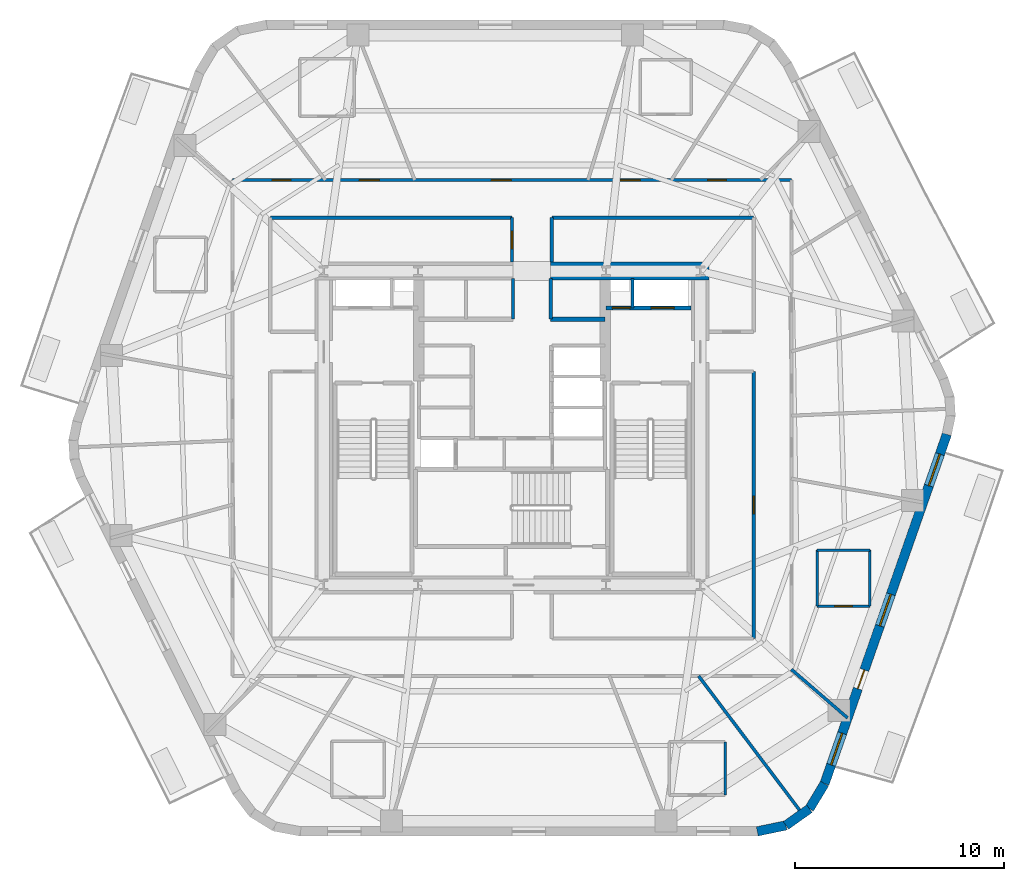
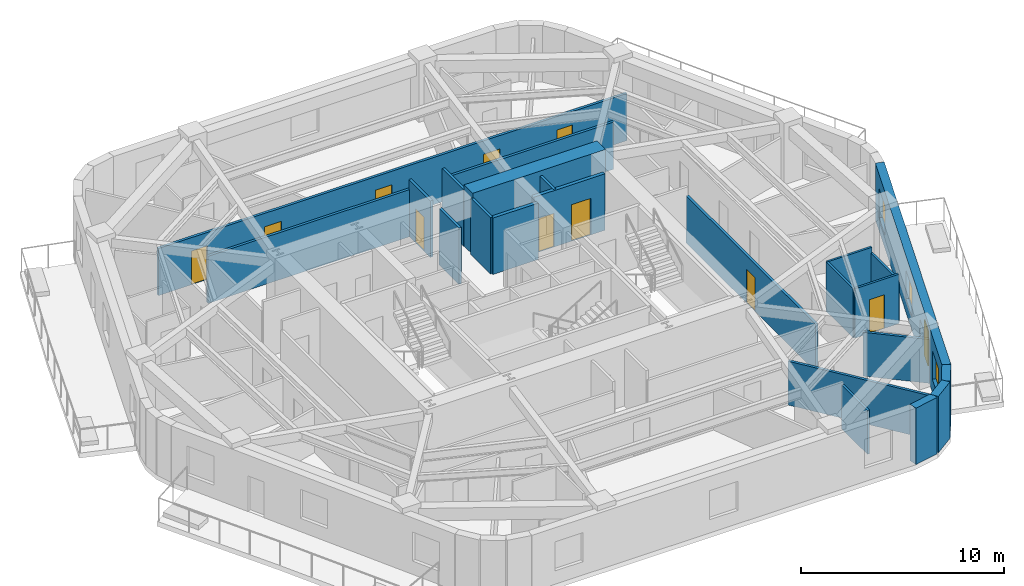
# One storey, part 5 of 10: 23 walls, 11 doors, 3 windows, 14 openings.
"""IFC4 building model written with IfcOpenShell, lengths in metres."""

import ifcopenshell
import ifcopenshell.guid

model = None  # the IFC model being written
_history = None  # IfcOwnerHistory: only IFC2X3 demands one
_inside = {}  # id of a spatial element -> (the spatial element, [elements in it])
_under = {}  # id of a project, library or spatial element -> (it, [spatial elements below it])
_declared = {}  # id of a project -> (the project, [libraries it declares])
_typed = {}  # id of a type object -> (the type object, [elements of that type])
_made_of = {}  # id of a material, layer set ... -> (it, [elements and type objects made of it])


def new_model(schema):
    """Start an empty IFC model of exactly this schema.

    Asked for "IFC4X3", IfcOpenShell would pick the latest addendum, in which some entities
    have other attributes; the version numbers below select the first issue.
    IFC2X3 requires an IfcOwnerHistory on every rooted entity: one is made here for all.
    """
    global model, _history
    if schema == "IFC4X3":
        model = ifcopenshell.file(schema_version=(4, 3, 0, 0))
    else:
        model = ifcopenshell.file(schema=schema)
    _inside.clear()
    _under.clear()
    _declared.clear()
    _typed.clear()
    _made_of.clear()
    _history = None
    if model.schema == "IFC2X3":
        org = make("IfcOrganization", Name="unknown")
        user = make(
            "IfcPersonAndOrganization",
            ThePerson=make("IfcPerson", FamilyName="unknown"),
            TheOrganization=org,
        )
        app = make(
            "IfcApplication",
            ApplicationDeveloper=org,
            Version="unknown",
            ApplicationFullName="unknown",
            ApplicationIdentifier="unknown",
        )
        _history = make(
            "IfcOwnerHistory",
            OwningUser=user,
            OwningApplication=app,
            ChangeAction="ADDED",
            CreationDate=0,
        )
    return model


def make(cls, **values):
    """One entity of the class cls with the attributes given. An attribute that is None is left unset."""
    return model.create_entity(
        cls, **{name: value for name, value in values.items() if value is not None}
    )


def rooted(cls, **values):
    """An entity with a GlobalId (a new one), such as an element, a storey or a relation."""
    return make(cls, GlobalId=ifcopenshell.guid.new(), OwnerHistory=_history, **values)


def si_unit(unit_type, name, prefix=None):
    """IfcSIUnit, for example si_unit("LENGTHUNIT", "METRE", prefix="MILLI")."""
    return make("IfcSIUnit", UnitType=unit_type, Prefix=prefix, Name=name)


def assignment(units):
    """IfcUnitAssignment: the units of a project."""
    return None if units is None else make("IfcUnitAssignment", Units=units)


def point(xyz):
    """IfcCartesianPoint."""
    return None if xyz is None else make("IfcCartesianPoint", Coordinates=xyz)


def direction(xyz):
    """IfcDirection."""
    return None if xyz is None else make("IfcDirection", DirectionRatios=xyz)


def frame(location, z_axis=None, x_axis=None):
    """IfcAxis2Placement3D, a coordinate frame: its origin and axes. An axis left out is left unset."""
    return make(
        "IfcAxis2Placement3D",
        Location=point(location),
        Axis=direction(z_axis),
        RefDirection=direction(x_axis),
    )


def frame_2d(location, x_axis=None):
    """IfcAxis2Placement2D, a coordinate frame in the plane: its origin and x axis."""
    return make(
        "IfcAxis2Placement2D", Location=point(location), RefDirection=direction(x_axis)
    )


def origin():
    """The frame at (0, 0, 0) with its axes left unset."""
    return frame((0.0, 0.0, 0.0))


def place(relative_to, where):
    """IfcLocalPlacement: puts the frame where relative to a parent placement (None: the world)."""
    return make(
        "IfcLocalPlacement", PlacementRelTo=relative_to, RelativePlacement=where
    )


def context(
    kind, dimensions, precision=None, world=None, true_north=None, identifier=None
):
    """IfcGeometricRepresentationContext, for example the 3D "Model" context."""
    return make(
        "IfcGeometricRepresentationContext",
        ContextIdentifier=identifier,
        ContextType=kind,
        CoordinateSpaceDimension=dimensions,
        Precision=precision,
        WorldCoordinateSystem=world,
        TrueNorth=true_north,
    )


def subcontext(parent, identifier, kind, view, scale=None):
    """IfcGeometricRepresentationSubContext, for example "Body" below "Model"."""
    return make(
        "IfcGeometricRepresentationSubContext",
        ContextIdentifier=identifier,
        ContextType=kind,
        ParentContext=parent,
        TargetScale=scale,
        TargetView=view,
    )


def project(units=None, contexts=None):
    """IfcProject with its units and contexts."""
    return rooted(
        "IfcProject",
        Name="project",
        RepresentationContexts=contexts,
        UnitsInContext=assignment(units),
    )


def spatial(cls, under=None, at=None, **own):
    """A site, building, storey or space (cls), placed at a placement, below another one or the project."""
    s = rooted(cls, ObjectPlacement=at, **own)
    if under is not None:
        _under.setdefault(under.id(), (under, []))[1].append(s)
    return s


def profile(cls, at=None, kind="AREA", **sizes):
    """A parametric profile (cls). Its sizes go by their IFC names, for example OverallWidth=200.0."""
    return make(cls, ProfileType=kind, Position=at, **sizes)


def rectangle(**sizes):
    """IfcRectangleProfileDef."""
    return profile("IfcRectangleProfileDef", **sizes)


def extrude(swept, where, along, depth):
    """IfcExtrudedAreaSolid: the profile swept, set in the frame where, extruded along a direction by depth."""
    return make(
        "IfcExtrudedAreaSolid",
        SweptArea=swept,
        Position=where,
        ExtrudedDirection=direction(along),
        Depth=depth,
    )


def shape(context_of_items, identifier, shape_type, items):
    """IfcShapeRepresentation: the items that make up one representation, for example the "Body"."""
    return make(
        "IfcShapeRepresentation",
        ContextOfItems=context_of_items,
        RepresentationIdentifier=identifier,
        RepresentationType=shape_type,
        Items=items,
    )


def material(Name=None, Category=None):
    """IfcMaterial."""
    return make("IfcMaterial", Name=Name, Category=Category)


def layer(
    of_material, thickness, ventilated=None, Name=None, Category=None, Priority=None
):
    """IfcMaterialLayer: one layer of a wall or slab, of a material (None: an air gap)."""
    return make(
        "IfcMaterialLayer",
        Material=of_material,
        LayerThickness=thickness,
        IsVentilated=ventilated,
        Name=Name,
        Category=Category,
        Priority=Priority,
    )


def layer_set(layers, Name=None):
    """IfcMaterialLayerSet."""
    return make("IfcMaterialLayerSet", MaterialLayers=layers, LayerSetName=Name)


def made_of(thing, what):
    """Note that an element or type object is made of a material, layer set ...; save() writes the relation."""
    if what is not None:
        _made_of.setdefault(what.id(), (what, []))[1].append(thing)
    return thing


def type_object(cls, material=None, **own):
    """A type object (cls), such as IfcWallType, which elements share."""
    return made_of(rooted(cls, **own), material)


def element(
    cls,
    number,
    at=None,
    inside=None,
    cuts=None,
    type_object=None,
    material=None,
    context=None,
    identifier="Body",
    shape_type=None,
    held_by="IfcProductDefinitionShape",
    body=None,
    shapes=None,
    **own,
):
    """One element of the class cls, such as IfcWall. Its Tag is "e" and its number.

    at: its placement. inside: the storey or other place that contains it. cuts: it is an
    opening in that element (IfcRelVoidsElement). A single representation is given by context,
    identifier, shape_type and body (its items); several are given by shapes. held_by: the class
    of the entity that holds the representations. save() writes the other relations.
    """
    e = rooted(cls, Tag="e%d" % number, ObjectPlacement=at, **own)
    if body is not None:
        shapes = [shape(context, identifier, shape_type, body)]
    if shapes is not None:
        e.Representation = make(held_by, Representations=shapes)
    if inside is not None:
        _inside.setdefault(inside.id(), (inside, []))[1].append(e)
    if cuts is not None:
        rooted(
            "IfcRelVoidsElement", RelatingBuildingElement=cuts, RelatedOpeningElement=e
        )
    if type_object is not None:
        _typed.setdefault(type_object.id(), (type_object, []))[1].append(e)
    return made_of(e, material)


def fill(opening, filler):
    """IfcRelFillsElement: the door or window that sits in an opening."""
    return rooted(
        "IfcRelFillsElement",
        RelatingOpeningElement=opening,
        RelatedBuildingElement=filler,
    )


def aggregate(whole, parts):
    """IfcRelAggregates: a whole, such as a stair, and the parts it consists of."""
    return rooted("IfcRelAggregates", RelatingObject=whole, RelatedObjects=parts)


def save(model, path):
    """Write the relations noted so far, then the file.

    IfcRelAggregates (storeys below a building ...), IfcRelContainedInSpatialStructure (elements
    in a storey), IfcRelDefinesByType, IfcRelAssociatesMaterial and IfcRelDeclares: one each for
    every whole, place, type object, material and project.
    """
    for whole, parts in _under.values():
        aggregate(whole, parts)
    for where, things in _inside.values():
        rooted(
            "IfcRelContainedInSpatialStructure",
            RelatedElements=things,
            RelatingStructure=where,
        )
    for kind, things in _typed.values():
        rooted("IfcRelDefinesByType", RelatedObjects=things, RelatingType=kind)
    for what, things in _made_of.values():
        rooted("IfcRelAssociatesMaterial", RelatedObjects=things, RelatingMaterial=what)
    for by, libraries in _declared.values():
        rooted("IfcRelDeclares", RelatingContext=by, RelatedDefinitions=libraries)
    model.write(path)


model = new_model("IFC4")

# Units and contexts
model_context = context("Model", 3, precision=1e-05, world=origin(), true_north=direction((0.0, 1.0)))
body_context = subcontext(model_context, "Body", "Model", "MODEL_VIEW")
ifc_project = project(units=[si_unit("LENGTHUNIT", "METRE"), si_unit("AREAUNIT", "SQUARE_METRE"), si_unit("VOLUMEUNIT", "CUBIC_METRE"), si_unit("PLANEANGLEUNIT", "RADIAN"), si_unit("MASSUNIT", "GRAM", prefix="KILO")], contexts=[model_context])

# Site, building, storey
site_placement = place(None, origin())
site = spatial("IfcSite", under=ifc_project, at=site_placement, CompositionType="ELEMENT")
building_placement = place(site_placement, origin())
building = spatial("IfcBuilding", under=site, at=building_placement, Name="Kilnhurst Terrace Hotel", CompositionType="ELEMENT")
storey_placement = place(building_placement, frame((0.0, 0.0, 144.300048828125)))
storey = spatial("IfcBuildingStorey", under=building, at=storey_placement, Name="L35", CompositionType="ELEMENT", Elevation=144.300048828125)

# Walls
ifc_material_1 = material(Name="Precast concrete C40/50", Category="concrete")
ifc_layer_1 = layer(ifc_material_1, 0.449951171875, Name="Precast concrete C40/50")
ifc_layer_set_1 = layer_set([ifc_layer_1], Name="Precast concrete C40/50")
wall_type_1 = type_object("IfcWallType", Name="WL-BRK-450", PredefinedType="SOLIDWALL", material=ifc_layer_set_1)
wall_1_placement = place(storey_placement, frame((11.720458984375, -19.27490234375, 0.0), z_axis=(0.0, 0.0, 1.0), x_axis=(0.97893106758, 0.204191001093, 0.0)))
element("IfcWall", 1, at=wall_1_placement, inside=storey, type_object=wall_type_1, Name="L35 Rounded Corner Brick Wall C2.1", PredefinedType="SOLIDWALL", context=body_context, shape_type="SweptSolid", body=[
    extrude(rectangle(XDim=1.400146484375, YDim=0.449951171875, at=frame_2d((0.7001953125, 0.0))), origin(), (0.0, 0.0, 1.0), 3.39990234375),
])
wall_2_placement = place(storey_placement, frame((13.091064453125, -18.989013671875, 0.0), z_axis=(0.0, 0.0, 1.0), x_axis=(0.815574637848, 0.578651890258, 0.0)))
element("IfcWall", 2, at=wall_2_placement, inside=storey, type_object=wall_type_1, Name="L35 Rounded Corner Brick Wall C2.2", PredefinedType="SOLIDWALL", context=body_context, shape_type="SweptSolid", body=[
    extrude(rectangle(XDim=1.376708984375, YDim=0.449951171875, at=frame_2d((0.6884765625, 0.0))), origin(), (0.0, 0.0, 1.0), 3.39990234375),
])
wall_3_placement = place(storey_placement, frame((14.2138671875, -18.1923828125, 0.0), z_axis=(0.0, 0.0, 1.0), x_axis=(0.516340945502, 0.856383108193, 0.0)))
element("IfcWall", 3, at=wall_3_placement, inside=storey, type_object=wall_type_1, Name="L35 Rounded Corner Brick Wall C2.3", PredefinedType="SOLIDWALL", context=body_context, shape_type="SweptSolid", body=[
    extrude(rectangle(XDim=1.400146484375, YDim=0.449951171875, at=frame_2d((0.7001953125, 0.0))), origin(), (0.0, 0.0, 1.0), 3.39990234375),
])

# Wall, openings, door, windows
wall_4_placement = place(storey_placement, frame((14.936767578125, -16.993408203125, 0.0), z_axis=(0.0, 0.0, 1.0), x_axis=(0.330431575061, 0.943829949834, 0.0)))
wall_4 = element("IfcWall", 4, at=wall_4_placement, inside=storey, type_object=wall_type_1, Name="L35 Exterior Brick Facade Wall F2", PredefinedType="SOLIDWALL", context=body_context, shape_type="SweptSolid", body=[
    extrude(rectangle(XDim=17.68896484375, YDim=0.449951171875, at=frame_2d((8.844482421875, 0.0))), origin(), (0.0, 0.0, 1.0), 3.39990234375),
])
opening_1_placement = place(wall_4_placement, frame((4.806884765625, 0.0, 0.0)))
opening_1 = element("IfcOpeningElement", 5, at=opening_1_placement, cuts=wall_4, Name="Opening BD-950", PredefinedType="OPENING", context=body_context, shape_type="SweptSolid", body=[
    extrude(rectangle(XDim=0.949951171875, YDim=2.14990234375, at=frame_2d((0.47509765625, 1.074951171875))), frame((0.0, 0.23486328125, 0.0), z_axis=(0.0, -1.0, 0.0), x_axis=(1.0, 0.0, 0.0)), (0.0, 0.0, 1.0), 0.469970703125),
])
opening_2_placement = place(wall_4_placement, frame((0.949951171875, 0.0, 0.800048828125)))
opening_2 = element("IfcOpeningElement", 6, at=opening_2_placement, cuts=wall_4, Name="Opening W-05", PredefinedType="OPENING", context=body_context, shape_type="SweptSolid", body=[
    extrude(rectangle(XDim=1.60009765625, YDim=1.75, at=frame_2d((0.800048828125, 0.875))), frame((0.0, 0.23486328125, 0.0), z_axis=(0.0, -1.0, 0.0), x_axis=(1.0, 0.0, 0.0)), (0.0, 0.0, 1.0), 0.469970703125),
])
opening_3_placement = place(wall_4_placement, frame((7.989990234375, 0.0, 0.800048828125)))
opening_3 = element("IfcOpeningElement", 7, at=opening_3_placement, cuts=wall_4, Name="Opening W-05", PredefinedType="OPENING", context=body_context, shape_type="SweptSolid", body=[
    extrude(rectangle(XDim=1.60009765625, YDim=1.75, at=frame_2d((0.800048828125, 0.875))), frame((0.0, 0.23486328125, 0.0), z_axis=(0.0, -1.0, 0.0), x_axis=(1.0, 0.0, 0.0)), (0.0, 0.0, 1.0), 0.469970703125),
])
opening_4_placement = place(wall_4_placement, frame((15.083984375, 0.0, 0.800048828125)))
opening_4 = element("IfcOpeningElement", 8, at=opening_4_placement, cuts=wall_4, Name="Opening W-05", PredefinedType="OPENING", context=body_context, shape_type="SweptSolid", body=[
    extrude(rectangle(XDim=1.60009765625, YDim=1.75, at=frame_2d((0.800048828125, 0.875))), frame((0.0, 0.23486328125, 0.0), z_axis=(0.0, -1.0, 0.0), x_axis=(1.0, 0.0, 0.0)), (0.0, 0.0, 1.0), 0.469970703125),
])
ifc_material_2 = material(Name="Thermally Broken Bronze Aluminium Alloy 6063-T6 and Laminated Glass", Category="aluminium")
door_type_1 = type_object("IfcDoorType", Name="DR-EXT-BAL-950", OperationType="NOTDEFINED", PredefinedType="DOOR", material=ifc_material_2)
door_1_placement = place(opening_1_placement, origin())
door_1 = element("IfcDoor", 9, at=door_1_placement, inside=storey, type_object=door_type_1, Name="L35 Planted Balcony Door BAL-L1A", OperationType="SINGLE_SWING_RIGHT", OverallHeight=2.14990234375, OverallWidth=0.949951171875, PredefinedType="DOOR", context=body_context, shape_type="SweptSolid", body=[
    extrude(rectangle(XDim=0.949951171875, YDim=2.14990234375, at=frame_2d((0.47509765625, 1.074951171875))), frame((0.0, 0.02490234375, 0.0), z_axis=(0.0, -1.0, 0.0), x_axis=(1.0, 0.0, 0.0)), (0.0, 0.0, 1.0), 0.050048828125),
])
fill(opening_1, door_1)
ifc_material_3 = material(Name="Thermally Broken Bronze Aluminium Alloy 6063-T6 and Low-E Glass", Category="aluminium")
window_type = type_object("IfcWindowType", Name="WIN-1600X1750", PartitioningType="SINGLE_PANEL", PredefinedType="WINDOW", material=ifc_material_3)
window_1_placement = place(opening_2_placement, origin())
window_1 = element("IfcWindow", 10, at=window_1_placement, inside=storey, type_object=window_type, Name="L35 Deep-Set Masonry Window F2.1", OverallHeight=1.75, OverallWidth=1.60009765625, PartitioningType="SINGLE_PANEL", PredefinedType="WINDOW", context=body_context, shape_type="SweptSolid", body=[
    extrude(rectangle(XDim=1.60009765625, YDim=1.75, at=frame_2d((0.800048828125, 0.875))), frame((0.0, 0.030029296875, 0.0), z_axis=(0.0, -1.0, 0.0), x_axis=(1.0, 0.0, 0.0)), (0.0, 0.0, 1.0), 0.06005859375),
])
fill(opening_2, window_1)
window_2_placement = place(opening_3_placement, origin())
window_2 = element("IfcWindow", 11, at=window_2_placement, inside=storey, type_object=window_type, Name="L35 Deep-Set Masonry Window F2.2", OverallHeight=1.75, OverallWidth=1.60009765625, PartitioningType="SINGLE_PANEL", PredefinedType="WINDOW", context=body_context, shape_type="SweptSolid", body=[
    extrude(rectangle(XDim=1.60009765625, YDim=1.75, at=frame_2d((0.800048828125, 0.875))), frame((0.0, 0.030029296875, 0.0), z_axis=(0.0, -1.0, 0.0), x_axis=(1.0, 0.0, 0.0)), (0.0, 0.0, 1.0), 0.06005859375),
])
fill(opening_3, window_2)
window_3_placement = place(opening_4_placement, origin())
window_3 = element("IfcWindow", 12, at=window_3_placement, inside=storey, type_object=window_type, Name="L35 Deep-Set Masonry Window F2.3", OverallHeight=1.75, OverallWidth=1.60009765625, PartitioningType="SINGLE_PANEL", PredefinedType="WINDOW", context=body_context, shape_type="SweptSolid", body=[
    extrude(rectangle(XDim=1.60009765625, YDim=1.75, at=frame_2d((0.800048828125, 0.875))), frame((0.0, 0.030029296875, 0.0), z_axis=(0.0, -1.0, 0.0), x_axis=(1.0, 0.0, 0.0)), (0.0, 0.0, 1.0), 0.06005859375),
])
fill(opening_4, window_3)

# Wall, openings, doors
ifc_material_4 = material(Name="Acoustic Double-Gypsum Corridor Partition Assembly")
ifc_layer_2 = layer(ifc_material_4, 0.14990234375, Name="Acoustic Double-Gypsum Corridor Partition Assembly")
ifc_layer_set_2 = layer_set([ifc_layer_2], Name="Acoustic Double-Gypsum Corridor Partition Assembly")
wall_type_2 = type_object("IfcWallType", Name="WL-COR-150", PredefinedType="PARTITIONING", material=ifc_layer_set_2)
wall_5_placement = place(storey_placement, frame((-13.35009765625, 11.85009765625, 0.0), z_axis=(0.0, 0.0, 1.0), x_axis=(1.0, 0.0, 0.0)))
wall_5 = element("IfcWall", 13, at=wall_5_placement, inside=storey, type_object=wall_type_2, Name="L35 Interior Wall WL-L35-COR-03", PredefinedType="PARTITIONING", context=body_context, shape_type="SweptSolid", body=[
    extrude(rectangle(XDim=26.7001953125, YDim=0.14990234375, at=frame_2d((13.35009765625, 0.0))), origin(), (0.0, 0.0, 1.0), 2.83984375),
])
opening_5_placement = place(wall_5_placement, frame((22.699951171875, 0.0, 0.0)))
opening_5 = element("IfcOpeningElement", 14, at=opening_5_placement, cuts=wall_5, Name="Opening D-60C", PredefinedType="OPENING", context=body_context, shape_type="SweptSolid", body=[
    extrude(rectangle(XDim=0.89990234375, YDim=2.030029296875, at=frame_2d((0.449951171875, 1.01513671875))), frame((0.0, 0.0849609375, 0.0), z_axis=(0.0, -1.0, 0.0), x_axis=(1.0, 0.0, 0.0)), (0.0, 0.0, 1.0), 0.169921875),
])
opening_6_placement = place(wall_5_placement, frame((18.52294921875, 0.0, 0.0)))
opening_6 = element("IfcOpeningElement", 15, at=opening_6_placement, cuts=wall_5, Name="Opening D-60B", PredefinedType="OPENING", context=body_context, shape_type="SweptSolid", body=[
    extrude(rectangle(XDim=0.949951171875, YDim=2.030029296875, at=frame_2d((0.47509765625, 1.01513671875))), frame((0.0, 0.0849609375, 0.0), z_axis=(0.0, -1.0, 0.0), x_axis=(1.0, 0.0, 0.0)), (0.0, 0.0, 1.0), 0.169921875),
])
opening_7_placement = place(wall_5_placement, frame((12.362060546875, 0.0, 0.0)))
opening_7 = element("IfcOpeningElement", 16, at=opening_7_placement, cuts=wall_5, Name="Opening D-60B", PredefinedType="OPENING", context=body_context, shape_type="SweptSolid", body=[
    extrude(rectangle(XDim=0.949951171875, YDim=2.030029296875, at=frame_2d((0.47509765625, 1.01513671875))), frame((0.0, 0.0849609375, 0.0), z_axis=(0.0, -1.0, 0.0), x_axis=(1.0, 0.0, 0.0)), (0.0, 0.0, 1.0), 0.169921875),
])
opening_8_placement = place(wall_5_placement, frame((6.06103515625, 0.0, 0.0)))
opening_8 = element("IfcOpeningElement", 17, at=opening_8_placement, cuts=wall_5, Name="Opening D-60B", PredefinedType="OPENING", context=body_context, shape_type="SweptSolid", body=[
    extrude(rectangle(XDim=0.949951171875, YDim=2.030029296875, at=frame_2d((0.47509765625, 1.01513671875))), frame((0.0, 0.0849609375, 0.0), z_axis=(0.0, -1.0, 0.0), x_axis=(1.0, 0.0, 0.0)), (0.0, 0.0, 1.0), 0.169921875),
])
opening_9_placement = place(wall_5_placement, frame((1.885986328125, 0.0, 0.0)))
opening_9 = element("IfcOpeningElement", 18, at=opening_9_placement, cuts=wall_5, Name="Opening D-60C", PredefinedType="OPENING", context=body_context, shape_type="SweptSolid", body=[
    extrude(rectangle(XDim=0.89990234375, YDim=2.030029296875, at=frame_2d((0.449951171875, 1.01513671875))), frame((0.0, 0.0849609375, 0.0), z_axis=(0.0, -1.0, 0.0), x_axis=(1.0, 0.0, 0.0)), (0.0, 0.0, 1.0), 0.169921875),
])
ifc_material_5 = material(Name="Painted Solid-Core Service Fire Door")
door_type_2 = type_object("IfcDoorType", Name="DR-FD60-900", OperationType="NOTDEFINED", PredefinedType="DOOR", material=ifc_material_5)
door_2_placement = place(opening_5_placement, origin())
door_2 = element("IfcDoor", 19, at=door_2_placement, inside=storey, type_object=door_type_2, Name="L35 Private Meeting Salon Door 4", OperationType="SINGLE_SWING_RIGHT", OverallHeight=2.030029296875, OverallWidth=0.89990234375, PredefinedType="DOOR", context=body_context, shape_type="SweptSolid", body=[
    extrude(rectangle(XDim=0.89990234375, YDim=2.030029296875, at=frame_2d((0.449951171875, 1.01513671875))), frame((0.0, 0.02490234375, 0.0), z_axis=(0.0, -1.0, 0.0), x_axis=(1.0, 0.0, 0.0)), (0.0, 0.0, 1.0), 0.050048828125),
])
fill(opening_5, door_2)
door_3_placement = place(opening_9_placement, origin())
door_3 = element("IfcDoor", 20, at=door_3_placement, inside=storey, type_object=door_type_2, Name="L35 Wellness Consultation Room Door 8", OperationType="SINGLE_SWING_RIGHT", OverallHeight=2.030029296875, OverallWidth=0.89990234375, PredefinedType="DOOR", context=body_context, shape_type="SweptSolid", body=[
    extrude(rectangle(XDim=0.89990234375, YDim=2.030029296875, at=frame_2d((0.449951171875, 1.01513671875))), frame((0.0, 0.02490234375, 0.0), z_axis=(0.0, -1.0, 0.0), x_axis=(1.0, 0.0, 0.0)), (0.0, 0.0, 1.0), 0.050048828125),
])
fill(opening_9, door_3)
ifc_material_6 = material(Name="Acoustic Walnut Veneer Solid-Core Fire Door")
door_type_3 = type_object("IfcDoorType", Name="DR-FD60-950", OperationType="NOTDEFINED", PredefinedType="DOOR", material=ifc_material_6)
door_4_placement = place(opening_6_placement, origin())
door_4 = element("IfcDoor", 21, at=door_4_placement, inside=storey, type_object=door_type_3, Name="L35 Guest Room Entry Door 5", OperationType="SINGLE_SWING_LEFT", OverallHeight=2.030029296875, OverallWidth=0.949951171875, PredefinedType="DOOR", context=body_context, shape_type="SweptSolid", body=[
    extrude(rectangle(XDim=0.949951171875, YDim=2.030029296875, at=frame_2d((0.47509765625, 1.01513671875))), frame((0.0, 0.02490234375, 0.0), z_axis=(0.0, -1.0, 0.0), x_axis=(1.0, 0.0, 0.0)), (0.0, 0.0, 1.0), 0.050048828125),
])
fill(opening_6, door_4)
door_5_placement = place(opening_7_placement, origin())
door_5 = element("IfcDoor", 22, at=door_5_placement, inside=storey, type_object=door_type_3, Name="L35 Waist Horizon Lounge Door", OperationType="SINGLE_SWING_RIGHT", OverallHeight=2.030029296875, OverallWidth=0.949951171875, PredefinedType="DOOR", context=body_context, shape_type="SweptSolid", body=[
    extrude(rectangle(XDim=0.949951171875, YDim=2.030029296875, at=frame_2d((0.47509765625, 1.01513671875))), frame((0.0, 0.02490234375, 0.0), z_axis=(0.0, -1.0, 0.0), x_axis=(1.0, 0.0, 0.0)), (0.0, 0.0, 1.0), 0.050048828125),
])
fill(opening_7, door_5)
door_6_placement = place(opening_8_placement, origin())
door_6 = element("IfcDoor", 23, at=door_6_placement, inside=storey, type_object=door_type_3, Name="L35 Guest Room Entry Door 7", OperationType="SINGLE_SWING_LEFT", OverallHeight=2.030029296875, OverallWidth=0.949951171875, PredefinedType="DOOR", context=body_context, shape_type="SweptSolid", body=[
    extrude(rectangle(XDim=0.949951171875, YDim=2.030029296875, at=frame_2d((0.47509765625, 1.01513671875))), frame((0.0, 0.02490234375, 0.0), z_axis=(0.0, -1.0, 0.0), x_axis=(1.0, 0.0, 0.0)), (0.0, 0.0, 1.0), 0.050048828125),
])
fill(opening_8, door_6)

# Wall, opening, door
wall_6_placement = place(storey_placement, frame((11.550048828125, -10.050048828125, 0.0), z_axis=(0.0, 0.0, 1.0), x_axis=(0.0, 1.0, 0.0)))
wall_6 = element("IfcWall", 24, at=wall_6_placement, inside=storey, type_object=wall_type_2, Name="L35 Interior Wall WL-L35-COR-05", PredefinedType="PARTITIONING", context=body_context, shape_type="SweptSolid", body=[
    extrude(rectangle(XDim=12.75, YDim=0.14990234375, at=frame_2d((6.375, 0.0))), origin(), (0.0, 0.0, 1.0), 2.83984375),
])
opening_10_placement = place(wall_6_placement, frame((5.949951171875, 0.0, 0.0)))
opening_10 = element("IfcOpeningElement", 25, at=opening_10_placement, cuts=wall_6, Name="Opening D-60D", PredefinedType="OPENING", context=body_context, shape_type="SweptSolid", body=[
    extrude(rectangle(XDim=0.85009765625, YDim=2.030029296875, at=frame_2d((0.425048828125, 1.01513671875))), frame((0.0, 0.0849609375, 0.0), z_axis=(0.0, -1.0, 0.0), x_axis=(1.0, 0.0, 0.0)), (0.0, 0.0, 1.0), 0.169921875),
])
ifc_material_7 = material(Name="Painted Hollow Metal Steel ASTM A36 Riser Door", Category="steel")
door_type_4 = type_object("IfcDoorType", Name="DR-FD60-850", OperationType="NOTDEFINED", PredefinedType="DOOR", material=ifc_material_7)
door_7_placement = place(opening_10_placement, origin())
door_7 = element("IfcDoor", 26, at=door_7_placement, inside=storey, type_object=door_type_4, Name="L35 Floor Electrical Switch Room Door", OperationType="SINGLE_SWING_RIGHT", OverallHeight=2.030029296875, OverallWidth=0.85009765625, PredefinedType="DOOR", context=body_context, shape_type="SweptSolid", body=[
    extrude(rectangle(XDim=0.85009765625, YDim=2.030029296875, at=frame_2d((0.425048828125, 1.01513671875))), frame((0.0, 0.02490234375, 0.0), z_axis=(0.0, -1.0, 0.0), x_axis=(1.0, 0.0, 0.0)), (0.0, 0.0, 1.0), 0.050048828125),
])
fill(opening_10, door_7)

# Walls
wall_7_placement = place(storey_placement, frame((11.550048828125, 10.050048828125, 0.0), z_axis=(0.0, 0.0, 1.0), x_axis=(-1.0, 0.0, 0.0)))
element("IfcWall", 27, at=wall_7_placement, inside=storey, type_object=wall_type_2, Name="L35 Interior Wall WL-L35-COR-09", PredefinedType="PARTITIONING", context=body_context, shape_type="SweptSolid", body=[
    extrude(rectangle(XDim=9.650146484375, YDim=0.14990234375, at=frame_2d((4.8251953125, 0.0))), origin(), (0.0, 0.0, 1.0), 2.83984375),
])
wall_8_placement = place(storey_placement, frame((1.89990234375, 10.050048828125, 0.0), z_axis=(0.0, 0.0, 1.0), x_axis=(0.0, -1.0, 0.0)))
element("IfcWall", 28, at=wall_8_placement, inside=storey, type_object=wall_type_2, Name="L35 Interior Wall WL-L35-COR-10", PredefinedType="PARTITIONING", context=body_context, shape_type="SweptSolid", body=[
    extrude(rectangle(XDim=2.125, YDim=0.14990234375, at=frame_2d((1.0625, 0.0))), origin(), (0.0, 0.0, 1.0), 3.39990234375),
])

# Wall, opening, door
wall_9_placement = place(storey_placement, frame((0.0, 7.925048828125, 0.0), z_axis=(0.0, 0.0, 1.0), x_axis=(0.0, 1.0, 0.0)))
wall_9 = element("IfcWall", 29, at=wall_9_placement, inside=storey, type_object=wall_type_2, Name="L35 Interior Wall WL-L35-COR-11", PredefinedType="PARTITIONING", context=body_context, shape_type="SweptSolid", body=[
    extrude(rectangle(XDim=2.125, YDim=0.14990234375, at=frame_2d((1.0625, 0.0))), origin(), (0.0, 0.0, 1.0), 3.39990234375),
])
opening_11_placement = place(wall_9_placement, frame((0.637939453125, 0.0, 0.0)))
opening_11 = element("IfcOpeningElement", 30, at=opening_11_placement, cuts=wall_9, Name="Opening D-60D", PredefinedType="OPENING", context=body_context, shape_type="SweptSolid", body=[
    extrude(rectangle(XDim=0.85009765625, YDim=2.030029296875, at=frame_2d((0.425048828125, 1.01513671875))), frame((0.0, 0.0849609375, 0.0), z_axis=(0.0, -1.0, 0.0), x_axis=(1.0, 0.0, 0.0)), (0.0, 0.0, 1.0), 0.169921875),
])
door_8_placement = place(opening_11_placement, origin())
door_8 = element("IfcDoor", 31, at=door_8_placement, inside=storey, type_object=door_type_4, Name="L35 Floor Valet Equipment Store Door", OperationType="SINGLE_SWING_RIGHT", OverallHeight=2.030029296875, OverallWidth=0.85009765625, PredefinedType="DOOR", context=body_context, shape_type="SweptSolid", body=[
    extrude(rectangle(XDim=0.85009765625, YDim=2.030029296875, at=frame_2d((0.425048828125, 1.01513671875))), frame((0.0, 0.02490234375, 0.0), z_axis=(0.0, -1.0, 0.0), x_axis=(1.0, 0.0, 0.0)), (0.0, 0.0, 1.0), 0.050048828125),
])
fill(opening_11, door_8)

# Walls
wall_10_placement = place(storey_placement, frame((0.0, 10.050048828125, 0.0), z_axis=(0.0, 0.0, 1.0), x_axis=(-1.0, 0.0, 0.0)))
element("IfcWall", 32, at=wall_10_placement, inside=storey, type_object=wall_type_2, Name="L35 Interior Wall WL-L35-COR-12", PredefinedType="PARTITIONING", context=body_context, shape_type="SweptSolid", body=[
    extrude(rectangle(XDim=11.550048828125, YDim=0.14990234375, at=frame_2d((5.77490234375, 0.0))), origin(), (0.0, 0.0, 1.0), 2.83984375),
])
ifc_material_8 = material(Name="Concrete C80/95", Category="concrete")
ifc_layer_3 = layer(ifc_material_8, 0.85009765625, Name="Concrete C80/95")
ifc_layer_set_3 = layer_set([ifc_layer_3], Name="Concrete C80/95")
wall_type_3 = type_object("IfcWallType", Name="WL-CORE-850", PredefinedType="SHEAR", material=ifc_layer_set_3)
wall_11_placement = place(storey_placement, frame((1.85009765625, 7.5, 0.0), z_axis=(0.0, 0.0, 1.0), x_axis=(1.0, 0.0, 0.0)))
element("IfcWall", 33, at=wall_11_placement, inside=storey, type_object=wall_type_3, Name="L35 Core North East Shear Wall", PredefinedType="SHEAR", context=body_context, shape_type="SweptSolid", body=[
    extrude(rectangle(XDim=7.574951171875, YDim=0.85009765625, at=frame_2d((3.78759765625, 0.0))), origin(), (0.0, 0.0, 1.0), 3.699951171875),
])
ifc_material_9 = material(Name="STC-58 Acoustic Twin-Frame Guestroom Demising Partition")
ifc_layer_4 = layer(ifc_material_9, 0.14990234375, Name="STC-58 Acoustic Twin-Frame Guestroom Demising Partition")
ifc_layer_set_4 = layer_set([ifc_layer_4], Name="STC-58 Acoustic Twin-Frame Guestroom Demising Partition")
wall_type_4 = type_object("IfcWallType", Name="WL-DEM-150", PredefinedType="PARTITIONING", material=ifc_layer_set_4)
wall_12_placement = place(storey_placement, frame((8.91845703125, -11.85009765625, 0.0), z_axis=(0.0, 0.0, 1.0), x_axis=(0.601347965064, -0.798987249531, 0.0)))
element("IfcWall", 34, at=wall_12_placement, inside=storey, type_object=wall_type_4, Name="L35 Interior Wall WL-L35-DEM-MID10-17-1", PredefinedType="PARTITIONING", context=body_context, shape_type="SweptSolid", body=[
    extrude(rectangle(XDim=8.080078125, YDim=0.14990234375, at=frame_2d((4.0400390625, 0.0))), origin(), (0.0, 0.0, 1.0), 2.639892578125),
])
wall_13_placement = place(storey_placement, frame((13.35009765625, -11.53271484375, 0.0), z_axis=(0.0, 0.0, 1.0), x_axis=(0.756711647314, -0.65374879183, 0.0)))
element("IfcWall", 35, at=wall_13_placement, inside=storey, type_object=wall_type_4, Name="L35 Interior Wall WL-L35-DEM-COL11-18-1", PredefinedType="PARTITIONING", context=body_context, shape_type="SweptSolid", body=[
    extrude(rectangle(XDim=3.549560546875, YDim=0.14990234375, at=frame_2d((1.77490234375, 0.0))), origin(), (0.0, 0.0, 1.0), 2.639892578125),
])
ifc_material_10 = material(Name="120 mm Moisture-Resistant Tile-Backed Bathroom Partition")
ifc_layer_5 = layer(ifc_material_10, 0.1201171875, Name="120 mm Moisture-Resistant Tile-Backed Bathroom Partition")
ifc_layer_set_5 = layer_set([ifc_layer_5], Name="120 mm Moisture-Resistant Tile-Backed Bathroom Partition")
wall_type_5 = type_object("IfcWallType", Name="WL-PART-120", PredefinedType="PARTITIONING", material=ifc_layer_set_5)
wall_14_placement = place(storey_placement, frame((10.18701171875, -17.535888671875, 0.0), z_axis=(0.0, 0.0, 1.0), x_axis=(0.0, 1.0, 0.0)))
element("IfcWall", 36, at=wall_14_placement, inside=storey, type_object=wall_type_5, Name="L35 Interior Wall WL-L35-BTH-16-2", PredefinedType="PARTITIONING", context=body_context, shape_type="SweptSolid", body=[
    extrude(rectangle(XDim=2.539794921875, YDim=0.1201171875, at=frame_2d((1.27001953125, 0.0))), origin(), (0.0, 0.0, 1.0), 2.639892578125),
])

# Wall, opening, door
wall_15_placement = place(storey_placement, frame((14.5830078125, -8.509033203125, 0.0), z_axis=(0.0, 0.0, 1.0), x_axis=(1.0, 0.0, 0.0)))
wall_15 = element("IfcWall", 37, at=wall_15_placement, inside=storey, type_object=wall_type_5, Name="L35 Interior Wall WL-L35-BTH-18-1", PredefinedType="PARTITIONING", context=body_context, shape_type="SweptSolid", body=[
    extrude(rectangle(XDim=2.52001953125, YDim=0.1201171875, at=frame_2d((1.260009765625, 0.0))), origin(), (0.0, 0.0, 1.0), 2.972412109375),
])
opening_12_placement = place(wall_15_placement, frame((0.8349609375, 0.0, 0.0)))
opening_12 = element("IfcOpeningElement", 38, at=opening_12_placement, cuts=wall_15, Name="Opening D-08A", PredefinedType="OPENING", context=body_context, shape_type="SweptSolid", body=[
    extrude(rectangle(XDim=0.85009765625, YDim=2.030029296875, at=frame_2d((0.425048828125, 1.01513671875))), frame((0.0, 0.070068359375, 0.0), z_axis=(0.0, -1.0, 0.0), x_axis=(1.0, 0.0, 0.0)), (0.0, 0.0, 1.0), 0.14013671875),
])
ifc_material_11 = material(Name="Moisture-Resistant Lacquered En-suite Bathroom Door")
door_type_5 = type_object("IfcDoorType", Name="DR-INT-850", OperationType="NOTDEFINED", PredefinedType="DOOR", material=ifc_material_11)
door_9_placement = place(opening_12_placement, origin())
door_9 = element("IfcDoor", 39, at=door_9_placement, inside=storey, type_object=door_type_5, Name="L35 En-suite Bathroom Door 18", OperationType="SINGLE_SWING_LEFT", OverallHeight=2.030029296875, OverallWidth=0.85009765625, PredefinedType="DOOR", context=body_context, shape_type="SweptSolid", body=[
    extrude(rectangle(XDim=0.85009765625, YDim=2.030029296875, at=frame_2d((0.425048828125, 1.01513671875))), frame((0.0, 0.02490234375, 0.0), z_axis=(0.0, -1.0, 0.0), x_axis=(1.0, 0.0, 0.0)), (0.0, 0.0, 1.0), 0.050048828125),
])
fill(opening_12, door_9)

# Walls
wall_16_placement = place(storey_placement, frame((17.10302734375, -8.509033203125, 0.0), z_axis=(0.0, 0.0, 1.0), x_axis=(0.0, 1.0, 0.0)))
element("IfcWall", 40, at=wall_16_placement, inside=storey, type_object=wall_type_5, Name="L35 Interior Wall WL-L35-BTH-18-2", PredefinedType="PARTITIONING", context=body_context, shape_type="SweptSolid", body=[
    extrude(rectangle(XDim=2.679931640625, YDim=0.1201171875, at=frame_2d((1.33984375, 0.0))), origin(), (0.0, 0.0, 1.0), 2.639892578125),
])
wall_17_placement = place(storey_placement, frame((17.10302734375, -5.8291015625, 0.0), z_axis=(0.0, 0.0, 1.0), x_axis=(-1.0, 0.0, 0.0)))
element("IfcWall", 41, at=wall_17_placement, inside=storey, type_object=wall_type_5, Name="L35 Interior Wall WL-L35-BTH-18-3", PredefinedType="PARTITIONING", context=body_context, shape_type="SweptSolid", body=[
    extrude(rectangle(XDim=2.52001953125, YDim=0.1201171875, at=frame_2d((1.260009765625, 0.0))), origin(), (0.0, 0.0, 1.0), 2.972412109375),
])
wall_18_placement = place(storey_placement, frame((14.5830078125, -5.8291015625, 0.0), z_axis=(0.0, 0.0, 1.0), x_axis=(0.0, -1.0, 0.0)))
element("IfcWall", 42, at=wall_18_placement, inside=storey, type_object=wall_type_5, Name="L35 Interior Wall WL-L35-BTH-18-4", PredefinedType="PARTITIONING", context=body_context, shape_type="SweptSolid", body=[
    extrude(rectangle(XDim=2.679931640625, YDim=0.1201171875, at=frame_2d((1.33984375, 0.0))), origin(), (0.0, 0.0, 1.0), 2.972412109375),
])
ifc_material_12 = material(Name="Fire-Rated Gypsum Shaftliner Assembly")
ifc_layer_6 = layer(ifc_material_12, 0.14990234375, Name="Fire-Rated Gypsum Shaftliner Assembly")
ifc_layer_set_6 = layer_set([ifc_layer_6], Name="Fire-Rated Gypsum Shaftliner Assembly")
wall_type_6 = type_object("IfcWallType", Name="WL-SHAFT-150", PredefinedType="PARTITIONING", material=ifc_layer_set_6)
wall_19_placement = place(storey_placement, frame((5.75, 5.739990234375, 0.0), z_axis=(0.0, 0.0, 1.0), x_axis=(0.0, 1.0, 0.0)))
element("IfcWall", 43, at=wall_19_placement, inside=storey, type_object=wall_type_6, Name="L35 Interior Wall WL-L35-RIS2-DIV", PredefinedType="PARTITIONING", context=body_context, shape_type="SweptSolid", body=[
    extrude(rectangle(XDim=1.409912109375, YDim=0.14990234375, at=frame_2d((0.705078125, 0.0))), origin(), (0.0, 0.0, 1.0), 3.39990234375),
])
for number, where, z_axis, x_axis, name in (
    (44, (0.050048828125, 5.199951171875, 0.0), (0.0, 0.0, 1.0), (0.0, 1.0, 0.0), "L35 Interior Wall WL-L35-HR-PORTAL-W"),
    (45, (1.85009765625, 5.199951171875, 0.0), (0.0, 0.0, 1.0), (0.0, 1.0, 0.0), "L35 Interior Wall WL-L35-HR-PORTAL-E"),
):
    element("IfcWall", number, at=place(storey_placement, frame(where, z_axis=z_axis, x_axis=x_axis)), inside=storey, type_object=wall_type_6, Name=name, PredefinedType="PARTITIONING", context=body_context, shape_type="SweptSolid", body=[
        extrude(rectangle(XDim=1.949951171875, YDim=0.14990234375, at=frame_2d((0.97509765625, 0.0))), origin(), (0.0, 0.0, 1.0), 3.39990234375),
    ])

# Wall, openings, doors
ifc_material_13 = material(Name="Autoclaved Aerated Concrete C30/37 and Gypsum Shaft Assembly", Category="concrete")
ifc_layer_7 = layer(ifc_material_13, 0.199951171875, Name="Autoclaved Aerated Concrete C30/37 and Gypsum Shaft Assembly")
ifc_layer_set_7 = layer_set([ifc_layer_7], Name="Autoclaved Aerated Concrete C30/37 and Gypsum Shaft Assembly")
wall_type_7 = type_object("IfcWallType", Name="WL-SHAFT-200", PredefinedType="PARTITIONING", material=ifc_layer_set_7)
wall_20_placement = place(storey_placement, frame((4.5, 5.739990234375, 0.0), z_axis=(0.0, 0.0, 1.0), x_axis=(1.0, 0.0, 0.0)))
wall_20 = element("IfcWall", 46, at=wall_20_placement, inside=storey, type_object=wall_type_7, Name="L35 Interior Wall WL-L35-FSAE2-S", PredefinedType="PARTITIONING", context=body_context, shape_type="SweptSolid", body=[
    extrude(rectangle(XDim=4.050048828125, YDim=0.199951171875, at=frame_2d((2.02490234375, 0.0))), origin(), (0.0, 0.0, 1.0), 3.39990234375),
])
opening_13_placement = place(wall_20_placement, frame((0.300048828125, 0.0, 0.0)))
opening_13 = element("IfcOpeningElement", 47, at=opening_13_placement, cuts=wall_20, Name="Opening D-60D", PredefinedType="OPENING", context=body_context, shape_type="SweptSolid", body=[
    extrude(rectangle(XDim=0.85009765625, YDim=2.030029296875, at=frame_2d((0.425048828125, 1.01513671875))), frame((0.0, 0.10986328125, 0.0), z_axis=(0.0, -1.0, 0.0), x_axis=(1.0, 0.0, 0.0)), (0.0, 0.0, 1.0), 0.219970703125),
])
opening_14_placement = place(wall_20_placement, frame((2.14990234375, 0.0, 0.0)))
opening_14 = element("IfcOpeningElement", 48, at=opening_14_placement, cuts=wall_20, Name="Opening LD-F2", PredefinedType="OPENING", context=body_context, shape_type="SweptSolid", body=[
    extrude(rectangle(XDim=1.10009765625, YDim=2.199951171875, at=frame_2d((0.550048828125, 1.10009765625))), frame((0.0, 0.10986328125, 0.0), z_axis=(0.0, -1.0, 0.0), x_axis=(1.0, 0.0, 0.0)), (0.0, 0.0, 1.0), 0.219970703125),
])
door_10_placement = place(opening_13_placement, origin())
door_10 = element("IfcDoor", 49, at=door_10_placement, inside=storey, type_object=door_type_4, Name="L35 Telecom Riser Door", OperationType="SINGLE_SWING_RIGHT", OverallHeight=2.030029296875, OverallWidth=0.85009765625, PredefinedType="DOOR", context=body_context, shape_type="SweptSolid", body=[
    extrude(rectangle(XDim=0.85009765625, YDim=2.030029296875, at=frame_2d((0.425048828125, 1.01513671875))), frame((0.0, 0.02490234375, 0.0), z_axis=(0.0, -1.0, 0.0), x_axis=(1.0, 0.0, 0.0)), (0.0, 0.0, 1.0), 0.050048828125),
])
fill(opening_13, door_10)
ifc_material_14 = material(Name="Bronze-Anodized Stainless Steel AISI 316L Sliding Door", Category="steel")
door_type_6 = type_object("IfcDoorType", Name="DR-LIFT-1100", OperationType="NOTDEFINED", PredefinedType="DOOR", material=ifc_material_14)
door_11_placement = place(opening_14_placement, origin())
door_11 = element("IfcDoor", 50, at=door_11_placement, inside=storey, type_object=door_type_6, Name="L35 FSAE-2 Landing Door", OperationType="SLIDING_TO_RIGHT", OverallHeight=2.199951171875, OverallWidth=1.10009765625, PredefinedType="DOOR", context=body_context, shape_type="SweptSolid", body=[
    extrude(rectangle(XDim=1.10009765625, YDim=2.199951171875, at=frame_2d((0.550048828125, 1.10009765625))), frame((0.0, 0.02490234375, 0.0), z_axis=(0.0, -1.0, 0.0), x_axis=(1.0, 0.0, 0.0)), (0.0, 0.0, 1.0), 0.050048828125),
])
fill(opening_14, door_11)

# Wall
wall_21_placement = place(storey_placement, frame((1.85009765625, 5.199951171875, 0.0), z_axis=(0.0, 0.0, 1.0), x_axis=(1.0, 0.0, 0.0)))
element("IfcWall", 51, at=wall_21_placement, inside=storey, type_object=wall_type_7, Name="L35 Interior Wall WL-L35-HR-SE", PredefinedType="PARTITIONING", context=body_context, shape_type="SweptSolid", body=[
    extrude(rectangle(XDim=2.599853515625, YDim=0.199951171875, at=frame_2d((1.2998046875, 0.0))), origin(), (0.0, 0.0, 1.0), 3.39990234375),
])

save(model, "model.ifc")
